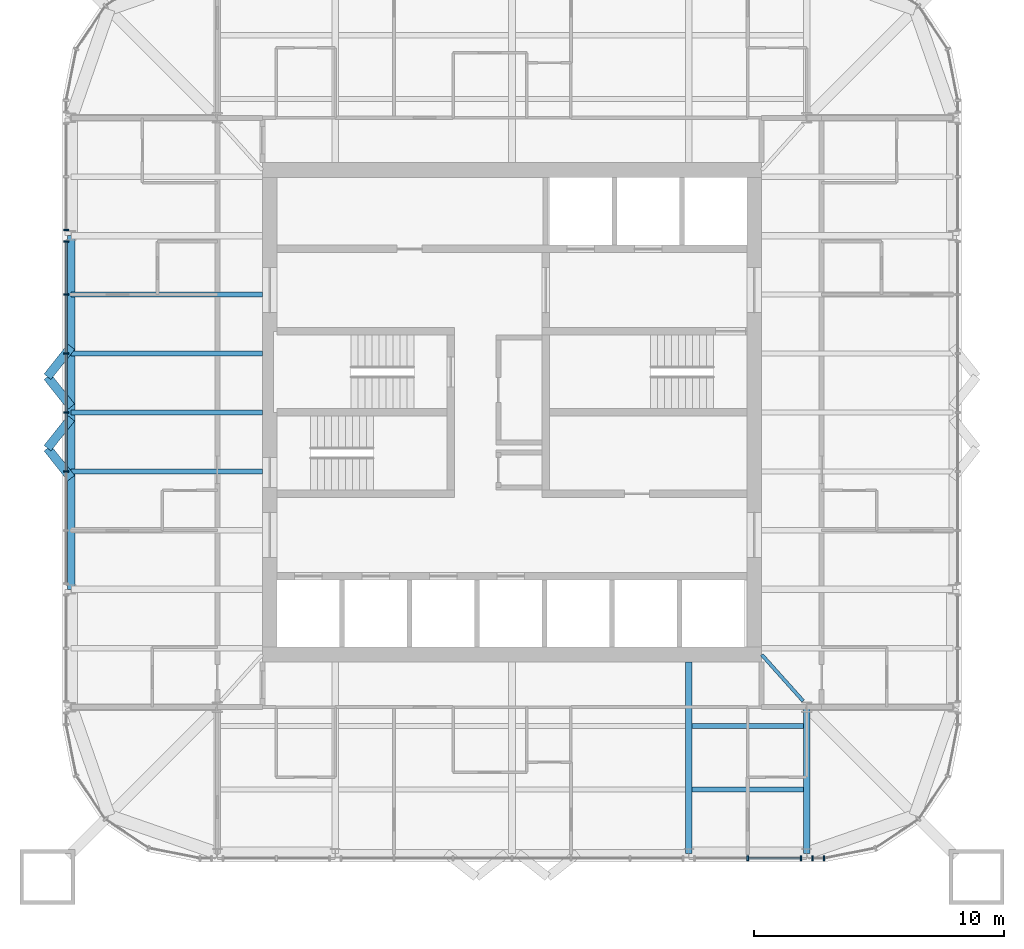
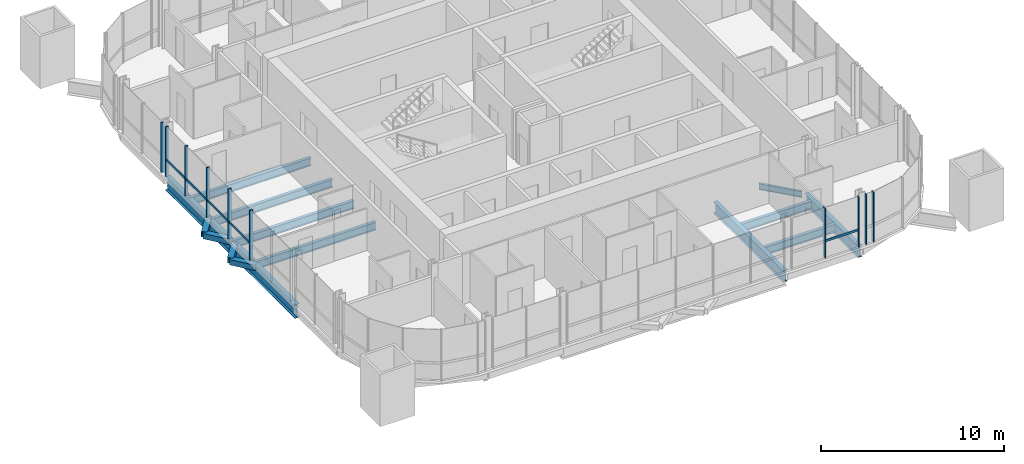
# One storey, part 3 of 17: 15 members, 14 beams, 4 elements without a shape of their own.
"""IFC4 building model written with IfcOpenShell, lengths in metres."""

from ifc_helpers import new_model, si_unit, direction, frame, origin, origin_2d, place, context, subcontext, project, spatial, rectangle, hollow_rectangle, i_section, extrude, material, material_profile, profile_set, type_object, element, aggregate, save


model = new_model("IFC4")

# Units and contexts
model_context = context("Model", 3, precision=1e-05, world=origin(), true_north=direction((0.0, 1.0)))
body_context = subcontext(model_context, "Body", "Model", "MODEL_VIEW")
ifc_project = project(units=[si_unit("LENGTHUNIT", "METRE"), si_unit("AREAUNIT", "SQUARE_METRE"), si_unit("VOLUMEUNIT", "CUBIC_METRE"), si_unit("PLANEANGLEUNIT", "RADIAN"), si_unit("MASSUNIT", "GRAM", prefix="KILO")], contexts=[model_context])

# Site, building, storey
site_placement = place(None, origin())
site = spatial("IfcSite", under=ifc_project, at=site_placement, CompositionType="ELEMENT")
building_placement = place(site_placement, origin())
building = spatial("IfcBuilding", under=site, at=building_placement, Name="Turquesa Mirador Hotel Tower", CompositionType="ELEMENT")
storey_placement = place(building_placement, frame((0.0, 0.0, 251.199951171875)))
storey = spatial("IfcBuildingStorey", under=building, at=storey_placement, Name="L68", CompositionType="ELEMENT", Elevation=251.199951171875)

# Beams
ifc_material_1 = material(Name="Steel ASTM A992 Grade 50", Category="steel")
ifc_material_profile_1 = material_profile(ifc_material_1, i_section(OverallWidth=0.140380859375, OverallDepth=0.40380859375, WebThickness=0.007080078125, FlangeThickness=0.01123046875, at=origin_2d()), Name="W16X31")
ifc_profile_set_1 = profile_set([ifc_material_profile_1], Name="Steel ASTM A992 Grade 50")
beam_type_1 = type_object("IfcBeamType", Name="BEAM W16X31", PredefinedType="BEAM", material=ifc_profile_set_1)
beam_1_placement = place(storey_placement, frame((66.656494140625, 33.44873046875, -0.371826171875), z_axis=(-0.666806350186, 0.745231032198, 0.0), x_axis=(-0.745231032198, -0.666806350186, 0.0)))
element("IfcBeam", 1, at=beam_1_placement, inside=storey, type_object=beam_type_1, Name="KT-L68-4", PredefinedType="BEAM", context=body_context, shape_type="SweptSolid", body=[
    extrude(i_section(OverallWidth=0.140380859375, OverallDepth=0.40380859375, WebThickness=0.007080078125, FlangeThickness=0.01123046875, at=origin_2d()), origin(), (0.0, 0.0, 1.0), 2.484130859375),
])
ifc_material_2 = material(Name="Steel ASTM A992 Grade 50", Category="steel")
ifc_material_profile_2 = material_profile(ifc_material_2, i_section(OverallWidth=0.209228515625, OverallDepth=0.533447265625, WebThickness=0.01025390625, FlangeThickness=0.015625, at=origin_2d()), Name="W21X62")
ifc_profile_set_2 = profile_set([ifc_material_profile_2], Name="Steel ASTM A992 Grade 50")
beam_type_2 = type_object("IfcBeamType", Name="BEAM W21X62", PredefinedType="BEAM", material=ifc_profile_set_2)
for number, where, z_axis, x_axis, name in (
    (2, (62.21337890625, 32.449951171875, -0.436767578125), (1.0, 0.0, 0.0), (0.0, 1.0, 0.0), "IB-L68-S-1-3"),
    (3, (62.21337890625, 29.89990234375, -0.436767578125), (1.0, 0.0, 0.0), (0.0, 1.0, 0.0), "IB-L68-S-2-3"),
):
    element("IfcBeam", number, at=place(storey_placement, frame(where, z_axis=z_axis, x_axis=x_axis)), inside=storey, type_object=beam_type_2, Name=name, PredefinedType="BEAM", context=body_context, shape_type="SweptSolid", body=[
        extrude(i_section(OverallWidth=0.209228515625, OverallDepth=0.533447265625, WebThickness=0.01025390625, FlangeThickness=0.015625, at=origin_2d()), origin(), (0.0, 0.0, 1.0), 4.453369140625),
    ])
for number, where, z_axis, x_axis, name in (
    (4, (37.35009765625, 42.639892578125, -0.436767578125), (1.0, 0.0, 0.0), (0.0, 1.0, 0.0), "BM-L68-W--2.36"),
    (5, (37.35009765625, 45.0, -0.436767578125), (1.0, 0.0, 0.0), (0.0, 1.0, 0.0), "BM-L68-W-+0.00"),
    (6, (37.35009765625, 47.360107421875, -0.436767578125), (1.0, 0.0, 0.0), (0.0, 1.0, 0.0), "BM-L68-W-+2.36"),
    (7, (37.35009765625, 49.719970703125, -0.436767578125), (1.0, 0.0, 0.0), (0.0, 1.0, 0.0), "BM-L68-W-+4.72"),
):
    element("IfcBeam", number, at=place(storey_placement, frame(where, z_axis=z_axis, x_axis=x_axis)), inside=storey, type_object=beam_type_2, Name=name, PredefinedType="BEAM", context=body_context, shape_type="SweptSolid", body=[
        extrude(i_section(OverallWidth=0.209228515625, OverallDepth=0.533447265625, WebThickness=0.01025390625, FlangeThickness=0.015625, at=origin_2d()), origin(), (0.0, 0.0, 1.0), 7.64990234375),
    ])
ifc_material_3 = material(Name="Steel ASTM A992 Grade 50", Category="steel")
ifc_material_profile_3 = material_profile(ifc_material_3, i_section(OverallWidth=0.2666015625, OverallDepth=0.7568359375, WebThickness=0.013916015625, FlangeThickness=0.019287109375, at=origin_2d()), Name="W30X108")
ifc_profile_set_3 = profile_set([ifc_material_profile_3], Name="Steel ASTM A992 Grade 50")
beam_type_3 = type_object("IfcBeamType", Name="BEAM W30X108", PredefinedType="BEAM", material=ifc_profile_set_3)
beam_2_placement = place(storey_placement, frame((62.080078125, 27.35009765625, -0.54833984375), z_axis=(0.0, 1.0, 0.0), x_axis=(-1.0, 0.0, 0.0)))
element("IfcBeam", 8, at=beam_2_placement, inside=storey, type_object=beam_type_3, Name="GD-L68-S-+7.08", PredefinedType="BEAM", context=body_context, shape_type="SweptSolid", body=[
    extrude(i_section(OverallWidth=0.2666015625, OverallDepth=0.7568359375, WebThickness=0.013916015625, FlangeThickness=0.019287109375, at=origin_2d()), origin(), (0.0, 0.0, 1.0), 7.64990234375),
])
beam_3_placement = place(storey_placement, frame((66.800048828125, 27.35009765625, -0.54833984375), z_axis=(0.0, 1.0, 0.0), x_axis=(-1.0, 0.0, 0.0)))
element("IfcBeam", 9, at=beam_3_placement, inside=storey, type_object=beam_type_3, Name="GK-L68-S-+11.80", PredefinedType="BEAM", context=body_context, shape_type="SweptSolid", body=[
    extrude(i_section(OverallWidth=0.2666015625, OverallDepth=0.7568359375, WebThickness=0.013916015625, FlangeThickness=0.019287109375, at=origin_2d()), origin(), (0.0, 0.0, 1.0), 5.849853515625),
])
ifc_material_4 = material(Name="Steel ASTM A992 Grade 50", Category="steel")
ifc_material_profile_4 = material_profile(ifc_material_4, i_section(OverallWidth=0.3046875, OverallDepth=0.911865234375, WebThickness=0.015869140625, FlangeThickness=0.02392578125, at=origin_2d()), Name="W36X150")
ifc_profile_set_4 = profile_set([ifc_material_profile_4], Name="Steel ASTM A992 Grade 50")
beam_type_4 = type_object("IfcBeamType", Name="BEAM W36X150", PredefinedType="BEAM", material=ifc_profile_set_4)
beam_4_placement = place(storey_placement, frame((37.35009765625, 37.919921875, -0.6259765625), z_axis=(0.0, 1.0, 0.0), x_axis=(-1.0, 0.0, 0.0)))
element("IfcBeam", 10, at=beam_4_placement, inside=storey, type_object=beam_type_4, Name="EB-L68-W-C", PredefinedType="BEAM", context=body_context, shape_type="SweptSolid", body=[
    extrude(i_section(OverallWidth=0.3046875, OverallDepth=0.911865234375, WebThickness=0.015869140625, FlangeThickness=0.02392578125, at=origin_2d()), origin(), (0.0, 0.0, 1.0), 14.16015625),
])
ifc_material_5 = material(Name="Steel ASTM A500 Grade C", Category="steel")
ifc_material_profile_5 = material_profile(ifc_material_5, hollow_rectangle(XDim=0.355712890625, YDim=0.355712890625, WallThickness=0.0146484375, at=origin_2d()), Name="HSS14X14X5/8")
ifc_profile_set_5 = profile_set([ifc_material_profile_5], Name="Steel ASTM A500 Grade C")
beam_type_5 = type_object("IfcBeamType", Name="BRACE STRUT HSS14X14X5/8", PredefinedType="BEAM", material=ifc_profile_set_5)
beam_5_placement = place(storey_placement, frame((36.39990234375, 46.4306640625, -0.34765625), z_axis=(0.620796907089, -0.783971428146, 0.0), x_axis=(0.783971428146, 0.620796907089, 0.0)))
element("IfcBeam", 11, at=beam_5_placement, inside=storey, type_object=beam_type_5, Name="Brace strut", PredefinedType="BEAM", context=body_context, shape_type="SweptSolid", body=[
    extrude(hollow_rectangle(XDim=0.355712890625, YDim=0.355712890625, WallThickness=0.0146484375, at=origin_2d()), origin(), (0.0, 0.0, 1.0), 1.530517578125),
])
for number, where, z_axis, x_axis, name in (
    (12, (36.39990234375, 46.4306640625, -0.34765625), (0.620719284306, 0.784032888399, 0.0), (-0.784032888399, 0.620719284306, 0.0), "Brace strut"),
    (13, (36.39990234375, 43.5693359375, -0.34765625), (0.620719284306, -0.784032888399, 0.0), (0.784032888399, 0.620719284306, 0.0), "Brace strut"),
):
    element("IfcBeam", number, at=place(storey_placement, frame(where, z_axis=z_axis, x_axis=x_axis)), inside=storey, type_object=beam_type_5, Name=name, PredefinedType="BEAM", context=body_context, shape_type="SweptSolid", body=[
        extrude(hollow_rectangle(XDim=0.355712890625, YDim=0.355712890625, WallThickness=0.0146484375, at=origin_2d()), origin(), (0.0, 0.0, 1.0), 1.53076171875),
    ])
beam_6_placement = place(storey_placement, frame((36.39990234375, 43.5693359375, -0.34765625), z_axis=(0.620796907089, 0.783971428146, 0.0), x_axis=(-0.783971428146, 0.620796907089, 0.0)))
element("IfcBeam", 14, at=beam_6_placement, inside=storey, type_object=beam_type_5, Name="Brace strut", PredefinedType="BEAM", context=body_context, shape_type="SweptSolid", body=[
    extrude(hollow_rectangle(XDim=0.355712890625, YDim=0.355712890625, WallThickness=0.0146484375, at=origin_2d()), origin(), (0.0, 0.0, 1.0), 1.530517578125),
])

# Curtain wall, member
ifc_material_6 = material(Name="Aluminium extrusion", Category="aluminium")
curtain_wall_type = type_object("IfcCurtainWallType", Name="CW-4 SUITE FRITTED CURTAIN WALL", PredefinedType="USERDEFINED", material=ifc_material_6)
curtain_wall_1_placement = place(storey_placement, origin())
curtain_wall_1 = element("IfcCurtainWall", 15, at=curtain_wall_1_placement, inside=storey, type_object=curtain_wall_type, Name="CW-4 SUITE FRITTED CURTAIN WALL L68", ObjectType="CURTAIN WALL", PredefinedType="USERDEFINED")
ifc_material_7 = material(Name="Aluminium extrusion", Category="aluminium")
ifc_material_profile_6 = material_profile(ifc_material_7, rectangle(XDim=0.06494140625, YDim=0.199951171875, at=origin_2d()), Name="MULLION 65X200")
ifc_profile_set_6 = profile_set([ifc_material_profile_6], Name="Aluminium extrusion")
member_type_1 = type_object("IfcMemberType", Name="CW MULLION 65X200", PredefinedType="MULLION", material=ifc_profile_set_6)
member_1_placement = place(storey_placement, frame((37.14990234375, 52.31396484375, 0.0), z_axis=(0.0, 0.0, 1.0), x_axis=(0.0, -1.0, 0.0)))
member_1 = element("IfcMember", 16, at=member_1_placement, type_object=member_type_1, Name="Mullion", PredefinedType="MULLION", context=body_context, shape_type="SweptSolid", body=[
    extrude(rectangle(XDim=0.06494140625, YDim=0.199951171875, at=origin_2d()), origin(), (0.0, 0.0, 1.0), 3.330078125),
])
aggregate(curtain_wall_1, [member_1])

# Curtain wall, members
curtain_wall_2_placement = place(storey_placement, origin())
curtain_wall_2 = element("IfcCurtainWall", 17, at=curtain_wall_2_placement, inside=storey, type_object=curtain_wall_type, Name="CW-4 SUITE FRITTED CURTAIN WALL L68", ObjectType="CURTAIN WALL", PredefinedType="USERDEFINED")
member_2_placement = place(storey_placement, frame((37.14990234375, 51.84619140625, 0.0), z_axis=(0.0, 0.0, 1.0), x_axis=(0.0, -1.0, 0.0)))
member_2 = element("IfcMember", 18, at=member_2_placement, type_object=member_type_1, Name="Mullion", PredefinedType="MULLION", context=body_context, shape_type="SweptSolid", body=[
    extrude(rectangle(XDim=0.06494140625, YDim=0.199951171875, at=origin_2d()), origin(), (0.0, 0.0, 1.0), 3.330078125),
])
member_3_placement = place(storey_placement, frame((37.14990234375, 49.719970703125, 0.0), z_axis=(0.0, 0.0, 1.0), x_axis=(0.0, -1.0, 0.0)))
member_3 = element("IfcMember", 19, at=member_3_placement, type_object=member_type_1, Name="Mullion", PredefinedType="MULLION", context=body_context, shape_type="SweptSolid", body=[
    extrude(rectangle(XDim=0.06494140625, YDim=0.199951171875, at=origin_2d()), origin(), (0.0, 0.0, 1.0), 3.330078125),
])
member_4_placement = place(storey_placement, frame((37.14990234375, 47.360107421875, 0.0), z_axis=(0.0, 0.0, 1.0), x_axis=(0.0, -1.0, 0.0)))
member_4 = element("IfcMember", 20, at=member_4_placement, type_object=member_type_1, Name="Mullion", PredefinedType="MULLION", context=body_context, shape_type="SweptSolid", body=[
    extrude(rectangle(XDim=0.06494140625, YDim=0.199951171875, at=origin_2d()), origin(), (0.0, 0.0, 1.0), 3.330078125),
])
member_5_placement = place(storey_placement, frame((37.14990234375, 45.0, 0.0), z_axis=(0.0, 0.0, 1.0), x_axis=(0.0, -1.0, 0.0)))
member_5 = element("IfcMember", 21, at=member_5_placement, type_object=member_type_1, Name="Mullion", PredefinedType="MULLION", context=body_context, shape_type="SweptSolid", body=[
    extrude(rectangle(XDim=0.06494140625, YDim=0.199951171875, at=origin_2d()), origin(), (0.0, 0.0, 1.0), 3.330078125),
])
member_6_placement = place(storey_placement, frame((37.14990234375, 42.639892578125, 0.0), z_axis=(0.0, 0.0, 1.0), x_axis=(0.0, -1.0, 0.0)))
member_6 = element("IfcMember", 22, at=member_6_placement, type_object=member_type_1, Name="Mullion", PredefinedType="MULLION", context=body_context, shape_type="SweptSolid", body=[
    extrude(rectangle(XDim=0.06494140625, YDim=0.199951171875, at=origin_2d()), origin(), (0.0, 0.0, 1.0), 3.330078125),
])

curtain_wall_3_placement = place(storey_placement, origin())
curtain_wall_3 = element("IfcCurtainWall", 23, at=curtain_wall_3_placement, inside=storey, type_object=curtain_wall_type, Name="CW-4 SUITE FRITTED CURTAIN WALL L68", ObjectType="CURTAIN WALL", PredefinedType="USERDEFINED")
member_7_placement = place(storey_placement, frame((64.43994140625, 27.14990234375, 0.0), z_axis=(0.0, 0.0, 1.0), x_axis=(1.0, 0.0, 0.0)))
member_7 = element("IfcMember", 24, at=member_7_placement, type_object=member_type_1, Name="Mullion", PredefinedType="MULLION", context=body_context, shape_type="SweptSolid", body=[
    extrude(rectangle(XDim=0.06494140625, YDim=0.199951171875, at=origin_2d()), origin(), (0.0, 0.0, 1.0), 3.330078125),
])
member_8_placement = place(storey_placement, frame((66.566162109375, 27.14990234375, 0.0), z_axis=(0.0, 0.0, 1.0), x_axis=(1.0, 0.0, 0.0)))
member_8 = element("IfcMember", 25, at=member_8_placement, type_object=member_type_1, Name="Mullion", PredefinedType="MULLION", context=body_context, shape_type="SweptSolid", body=[
    extrude(rectangle(XDim=0.06494140625, YDim=0.199951171875, at=origin_2d()), origin(), (0.0, 0.0, 1.0), 3.330078125),
])

curtain_wall_4_placement = place(storey_placement, origin())
curtain_wall_4 = element("IfcCurtainWall", 26, at=curtain_wall_4_placement, inside=storey, type_object=curtain_wall_type, Name="CW-4 SUITE FRITTED CURTAIN WALL L68", ObjectType="CURTAIN WALL", PredefinedType="USERDEFINED")
member_9_placement = place(storey_placement, frame((67.033935546875, 27.14990234375, 0.0), z_axis=(0.0, 0.0, 1.0), x_axis=(1.0, 0.0, 0.0)))
member_9 = element("IfcMember", 27, at=member_9_placement, type_object=member_type_1, Name="Mullion", PredefinedType="MULLION", context=body_context, shape_type="SweptSolid", body=[
    extrude(rectangle(XDim=0.06494140625, YDim=0.199951171875, at=origin_2d()), origin(), (0.0, 0.0, 1.0), 3.330078125),
])
member_10_placement = place(storey_placement, frame((67.5, 27.14990234375, 0.0), z_axis=(0.0, 0.0, 1.0), x_axis=(1.0, 0.0, 0.0)))
member_10 = element("IfcMember", 28, at=member_10_placement, type_object=member_type_1, Name="Mullion", PredefinedType="MULLION", context=body_context, shape_type="SweptSolid", body=[
    extrude(rectangle(XDim=0.06494140625, YDim=0.199951171875, at=origin_2d()), origin(), (0.0, 0.0, 1.0), 3.330078125),
])
aggregate(curtain_wall_4, [member_9, member_10])

# Member
ifc_material_8 = material(Name="Aluminium extrusion", Category="aluminium")
ifc_material_profile_7 = material_profile(ifc_material_8, rectangle(XDim=0.06494140625, YDim=0.14990234375, at=origin_2d()), Name="TRANSOM 65X150")
ifc_profile_set_7 = profile_set([ifc_material_profile_7], Name="Aluminium extrusion")
member_type_2 = type_object("IfcMemberType", Name="CW TRANSOM 65X150", PredefinedType="USERDEFINED", material=ifc_profile_set_7)
member_11_placement = place(storey_placement, frame((37.14990234375, 51.813720703125, 1.10009765625), z_axis=(0.0, -1.0, 0.0), x_axis=(1.0, 0.0, 0.0)))
member_11 = element("IfcMember", 29, at=member_11_placement, type_object=member_type_2, Name="Transom", ObjectType="TRANSOM", PredefinedType="USERDEFINED", context=body_context, shape_type="SweptSolid", body=[
    extrude(rectangle(XDim=0.06494140625, YDim=0.14990234375, at=origin_2d()), origin(), (0.0, 0.0, 1.0), 2.061279296875),
])

member_12_placement = place(storey_placement, frame((37.14990234375, 49.6875, 1.10009765625), z_axis=(0.0, -1.0, 0.0), x_axis=(1.0, 0.0, 0.0)))
member_12 = element("IfcMember", 30, at=member_12_placement, type_object=member_type_2, Name="Transom", ObjectType="TRANSOM", PredefinedType="USERDEFINED", context=body_context, shape_type="SweptSolid", body=[
    extrude(rectangle(XDim=0.06494140625, YDim=0.14990234375, at=origin_2d()), origin(), (0.0, 0.0, 1.0), 2.294921875),
])

member_13_placement = place(storey_placement, frame((37.14990234375, 47.327392578125, 1.10009765625), z_axis=(0.0, -1.0, 0.0), x_axis=(1.0, 0.0, 0.0)))
member_13 = element("IfcMember", 31, at=member_13_placement, type_object=member_type_2, Name="Transom", ObjectType="TRANSOM", PredefinedType="USERDEFINED", context=body_context, shape_type="SweptSolid", body=[
    extrude(rectangle(XDim=0.06494140625, YDim=0.14990234375, at=origin_2d()), origin(), (0.0, 0.0, 1.0), 2.294921875),
])

member_14_placement = place(storey_placement, frame((37.14990234375, 44.967529296875, 1.10009765625), z_axis=(0.0, -1.0, 0.0), x_axis=(1.0, 0.0, 0.0)))
member_14 = element("IfcMember", 32, at=member_14_placement, type_object=member_type_2, Name="Transom", ObjectType="TRANSOM", PredefinedType="USERDEFINED", context=body_context, shape_type="SweptSolid", body=[
    extrude(rectangle(XDim=0.06494140625, YDim=0.14990234375, at=origin_2d()), origin(), (0.0, 0.0, 1.0), 2.294921875),
])

aggregate(curtain_wall_2, [member_2, member_3, member_4, member_5, member_6, member_11, member_12, member_13, member_14])

member_15_placement = place(storey_placement, frame((64.472412109375, 27.14990234375, 1.10009765625), z_axis=(1.0, 0.0, 0.0), x_axis=(0.0, 1.0, 0.0)))
member_15 = element("IfcMember", 33, at=member_15_placement, type_object=member_type_2, Name="Transom", ObjectType="TRANSOM", PredefinedType="USERDEFINED", context=body_context, shape_type="SweptSolid", body=[
    extrude(rectangle(XDim=0.06494140625, YDim=0.14990234375, at=origin_2d()), origin(), (0.0, 0.0, 1.0), 2.061279296875),
])

aggregate(curtain_wall_3, [member_7, member_8, member_15])

save(model, "model.ifc")
